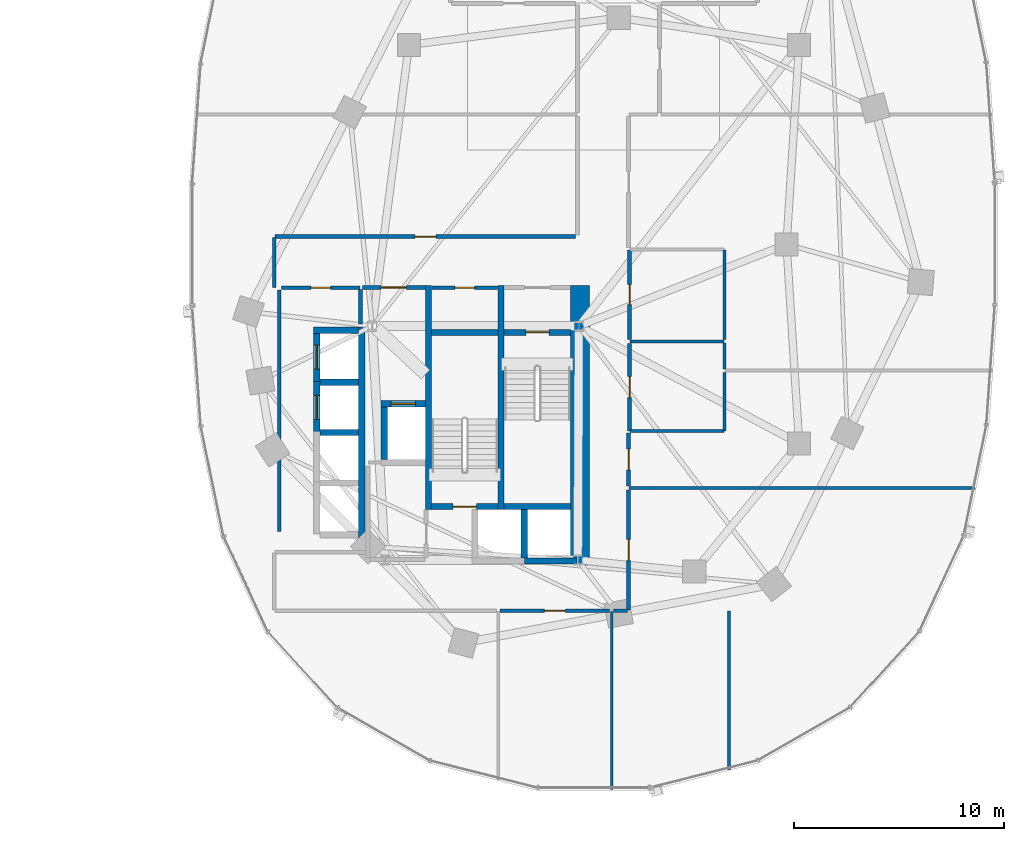
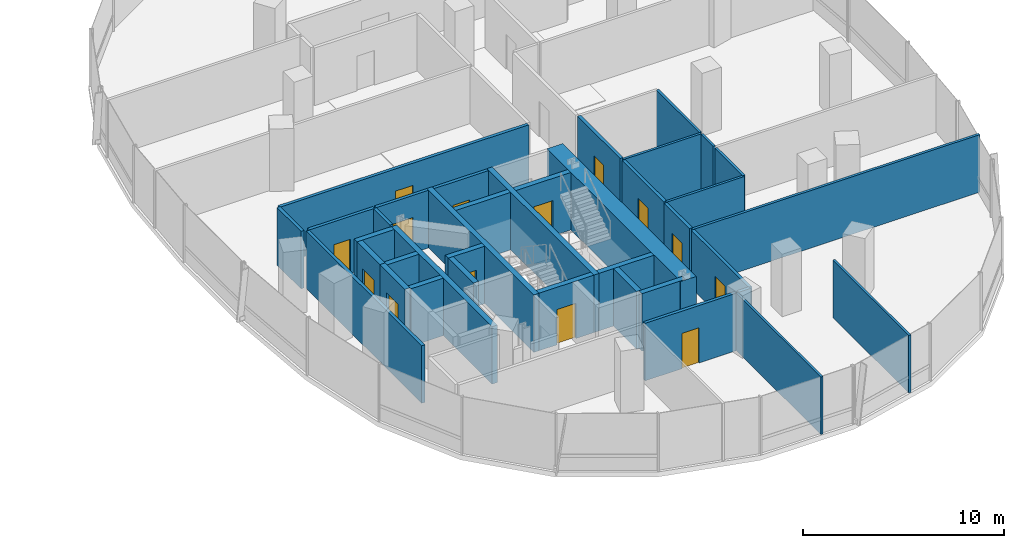
# One storey, part 13 of 22: 38 walls, 14 doors, 14 openings.
"""IFC4 building model written with IfcOpenShell, lengths in metres."""

from ifc_helpers import new_model, si_unit, direction, frame, frame_2d, origin, place, context, subcontext, project, spatial, rectangle, extrude, material, layer, layer_set, type_object, element, fill, save


model = new_model("IFC4")

# Units and contexts
model_context = context("Model", 3, precision=1e-05, world=origin(), true_north=direction((0.0, 1.0)))
body_context = subcontext(model_context, "Body", "Model", "MODEL_VIEW")
ifc_project = project(units=[si_unit("LENGTHUNIT", "METRE"), si_unit("AREAUNIT", "SQUARE_METRE"), si_unit("VOLUMEUNIT", "CUBIC_METRE"), si_unit("PLANEANGLEUNIT", "RADIAN"), si_unit("MASSUNIT", "GRAM", prefix="KILO"), si_unit("THERMODYNAMICTEMPERATUREUNIT", "KELVIN"), si_unit("POWERUNIT", "WATT")], contexts=[model_context])

# Site, building, storey
site_placement = place(None, origin())
site = spatial("IfcSite", under=ifc_project, at=site_placement, CompositionType="ELEMENT")
building_placement = place(site_placement, origin())
building = spatial("IfcBuilding", under=site, at=building_placement, Name="Cundina Bronze Exchange", CompositionType="ELEMENT")
storey_placement = place(building_placement, frame((0.0, 0.0, 35.39990234375)))
storey = spatial("IfcBuildingStorey", under=building, at=storey_placement, Name="L08", CompositionType="ELEMENT", Elevation=35.39990234375)

# Wall
ifc_material_1 = material(Name="Gypsum Fireboard Partition EI120")
ifc_layer_1 = layer(ifc_material_1, 0.179931640625, Name="Gypsum Fireboard Partition EI120")
ifc_layer_set_1 = layer_set([ifc_layer_1], Name="Gypsum Fireboard Partition EI120")
wall_type_1 = type_object("IfcWallType", Name="WL-COR-180", PredefinedType="PARTITIONING", material=ifc_layer_set_1)
wall_1_placement = place(storey_placement, frame((20.889892578125, -3.800048828125, 0.0), z_axis=(0.0, 0.0, 1.0), x_axis=(0.0, 1.0, 0.0)))
element("IfcWall", 1, at=wall_1_placement, inside=storey, type_object=wall_type_1, Name="L08 E Firefighting Lobby Side Wall", PredefinedType="PARTITIONING", context=body_context, shape_type="SweptSolid", body=[
    extrude(rectangle(XDim=1.650146484375, YDim=0.179931640625, at=frame_2d((0.8251953125, 0.0))), origin(), (0.0, 0.0, 1.0), 3.5),
])

# Wall, opening, door
wall_2_placement = place(storey_placement, frame((20.97998046875, -2.06005859375, 0.0), z_axis=(0.0, 0.0, 1.0), x_axis=(1.0, 0.0, 0.0)))
wall_2 = element("IfcWall", 2, at=wall_2_placement, inside=storey, type_object=wall_type_1, Name="L08 E Firefighting Lobby Exit Wall", PredefinedType="PARTITIONING", context=body_context, shape_type="SweptSolid", body=[
    extrude(rectangle(XDim=3.0, YDim=0.179931640625, at=frame_2d((1.5, 0.0))), origin(), (0.0, 0.0, 1.0), 3.5),
])
opening_1_placement = place(wall_2_placement, frame((0.89990234375, 0.0, 0.0)))
opening_1 = element("IfcOpeningElement", 3, at=opening_1_placement, cuts=wall_2, Name="Opening DF-01", PredefinedType="OPENING", context=body_context, shape_type="SweptSolid", body=[
    extrude(rectangle(XDim=1.199951171875, YDim=2.14990234375, at=frame_2d((0.60009765625, 1.074951171875))), frame((0.0, 0.099853515625, 0.0), z_axis=(0.0, -1.0, 0.0), x_axis=(1.0, 0.0, 0.0)), (0.0, 0.0, 1.0), 0.199951171875),
])
ifc_material_2 = material(Name="Steel ASTM A36 Painted", Category="steel")
door_type_1 = type_object("IfcDoorType", Name="DR-FFL-1200", OperationType="NOTDEFINED", PredefinedType="DOOR", material=ifc_material_2)
door_1_placement = place(opening_1_placement, origin())
door_1 = element("IfcDoor", 4, at=door_1_placement, inside=storey, type_object=door_type_1, Name="L08 E Firefighting Lobby Door", OperationType="SINGLE_SWING_LEFT", OverallHeight=2.14990234375, OverallWidth=1.199951171875, PredefinedType="DOOR", context=body_context, shape_type="SweptSolid", body=[
    extrude(rectangle(XDim=1.199951171875, YDim=2.14990234375, at=frame_2d((0.60009765625, 1.074951171875))), frame((0.0, 0.02490234375, 0.0), z_axis=(0.0, -1.0, 0.0), x_axis=(1.0, 0.0, 0.0)), (0.0, 0.0, 1.0), 0.050048828125),
])
fill(opening_1, door_1)

# Wall
wall_3_placement = place(storey_placement, frame((17.02001953125, -13.679931640625, 0.0), z_axis=(0.0, 0.0, 1.0), x_axis=(0.0, 1.0, 0.0)))
element("IfcWall", 5, at=wall_3_placement, inside=storey, type_object=wall_type_1, Name="L08 Interior Partition 050", PredefinedType="PARTITIONING", context=body_context, shape_type="SweptSolid", body=[
    extrude(rectangle(XDim=11.510009765625, YDim=0.179931640625, at=frame_2d((5.7548828125, 0.0))), origin(), (0.0, 0.0, 1.0), 3.5),
])

# Wall, opening, door
wall_4_placement = place(storey_placement, frame((17.1201171875, -2.070068359375, 0.0), z_axis=(0.0, 0.0, 1.0), x_axis=(1.0, 0.0, 0.0)))
wall_4 = element("IfcWall", 6, at=wall_4_placement, inside=storey, type_object=wall_type_1, Name="L08 Interior Partition 051", PredefinedType="PARTITIONING", context=body_context, shape_type="SweptSolid", body=[
    extrude(rectangle(XDim=3.75, YDim=0.179931640625, at=frame_2d((1.875, 0.0))), origin(), (0.0, 0.0, 1.0), 3.5),
])
opening_2_placement = place(wall_4_placement, frame((1.39990234375, 0.0, 0.0)))
opening_2 = element("IfcOpeningElement", 7, at=opening_2_placement, cuts=wall_4, Name="Opening DW-01", PredefinedType="OPENING", context=body_context, shape_type="SweptSolid", body=[
    extrude(rectangle(XDim=0.949951171875, YDim=2.10009765625, at=frame_2d((0.47509765625, 1.050048828125))), frame((0.0, 0.099853515625, 0.0), z_axis=(0.0, -1.0, 0.0), x_axis=(1.0, 0.0, 0.0)), (0.0, 0.0, 1.0), 0.199951171875),
])
ifc_material_3 = material(Name="Solid Andean Oak Timber Grade A", Category="wood")
door_type_2 = type_object("IfcDoorType", Name="DR-WC-950", OperationType="NOTDEFINED", PredefinedType="DOOR", material=ifc_material_3)
door_2_placement = place(opening_2_placement, origin())
door_2 = element("IfcDoor", 8, at=door_2_placement, inside=storey, type_object=door_type_2, Name="L08 Interior Door 051", OperationType="SINGLE_SWING_RIGHT", OverallHeight=2.10009765625, OverallWidth=0.949951171875, PredefinedType="DOOR", context=body_context, shape_type="SweptSolid", body=[
    extrude(rectangle(XDim=0.949951171875, YDim=2.10009765625, at=frame_2d((0.47509765625, 1.050048828125))), frame((0.0, 0.02490234375, 0.0), z_axis=(0.0, -1.0, 0.0), x_axis=(1.0, 0.0, 0.0)), (0.0, 0.0, 1.0), 0.050048828125),
])
fill(opening_2, door_2)

wall_5_placement = place(storey_placement, frame((24.300048828125, -2.070068359375, 0.0), z_axis=(0.0, 0.0, 1.0), x_axis=(1.0, 0.0, 0.0)))
wall_5 = element("IfcWall", 9, at=wall_5_placement, inside=storey, type_object=wall_type_1, Name="L08 Interior Partition 055", PredefinedType="PARTITIONING", context=body_context, shape_type="SweptSolid", body=[
    extrude(rectangle(XDim=3.119873046875, YDim=0.179931640625, at=frame_2d((1.56005859375, 0.0))), origin(), (0.0, 0.0, 1.0), 3.5),
])
opening_3_placement = place(wall_5_placement, frame((1.0849609375, 0.0, 0.0)))
opening_3 = element("IfcOpeningElement", 10, at=opening_3_placement, cuts=wall_5, Name="Opening DW-01", PredefinedType="OPENING", context=body_context, shape_type="SweptSolid", body=[
    extrude(rectangle(XDim=0.949951171875, YDim=2.10009765625, at=frame_2d((0.47509765625, 1.050048828125))), frame((0.0, 0.099853515625, 0.0), z_axis=(0.0, -1.0, 0.0), x_axis=(1.0, 0.0, 0.0)), (0.0, 0.0, 1.0), 0.199951171875),
])
door_3_placement = place(opening_3_placement, origin())
door_3 = element("IfcDoor", 11, at=door_3_placement, inside=storey, type_object=door_type_2, Name="L08 Interior Door 055", OperationType="SINGLE_SWING_RIGHT", OverallHeight=2.10009765625, OverallWidth=0.949951171875, PredefinedType="DOOR", context=body_context, shape_type="SweptSolid", body=[
    extrude(rectangle(XDim=0.949951171875, YDim=2.10009765625, at=frame_2d((0.47509765625, 1.050048828125))), frame((0.0, 0.02490234375, 0.0), z_axis=(0.0, -1.0, 0.0), x_axis=(1.0, 0.0, 0.0)), (0.0, 0.0, 1.0), 0.050048828125),
])
fill(opening_3, door_3)

wall_6_placement = place(storey_placement, frame((33.719970703125, -4.530029296875, 0.0), z_axis=(0.0, 0.0, 1.0), x_axis=(0.0, 1.0, 0.0)))
wall_6 = element("IfcWall", 12, at=wall_6_placement, inside=storey, type_object=wall_type_1, Name="L08 Interior Partition 063", PredefinedType="PARTITIONING", context=body_context, shape_type="SweptSolid", body=[
    extrude(rectangle(XDim=4.260009765625, YDim=0.179931640625, at=frame_2d((2.1298828125, 0.0))), origin(), (0.0, 0.0, 1.0), 3.5),
])
opening_4_placement = place(wall_6_placement, frame((1.655029296875, 0.0, 0.0)))
opening_4 = element("IfcOpeningElement", 13, at=opening_4_placement, cuts=wall_6, Name="Opening DW-01", PredefinedType="OPENING", context=body_context, shape_type="SweptSolid", body=[
    extrude(rectangle(XDim=0.949951171875, YDim=2.10009765625, at=frame_2d((0.47509765625, 1.050048828125))), frame((0.0, 0.099853515625, 0.0), z_axis=(0.0, -1.0, 0.0), x_axis=(1.0, 0.0, 0.0)), (0.0, 0.0, 1.0), 0.199951171875),
])
door_4_placement = place(opening_4_placement, origin())
door_4 = element("IfcDoor", 14, at=door_4_placement, inside=storey, type_object=door_type_2, Name="L08 Interior Door 063", OperationType="SINGLE_SWING_RIGHT", OverallHeight=2.10009765625, OverallWidth=0.949951171875, PredefinedType="DOOR", context=body_context, shape_type="SweptSolid", body=[
    extrude(rectangle(XDim=0.949951171875, YDim=2.10009765625, at=frame_2d((0.47509765625, 1.050048828125))), frame((0.0, 0.02490234375, 0.0), z_axis=(0.0, -1.0, 0.0), x_axis=(1.0, 0.0, 0.0)), (0.0, 0.0, 1.0), 0.050048828125),
])
fill(opening_4, door_4)

wall_7_placement = place(storey_placement, frame((33.719970703125, -8.889892578125, 0.0), z_axis=(0.0, 0.0, 1.0), x_axis=(0.0, 1.0, 0.0)))
wall_7 = element("IfcWall", 15, at=wall_7_placement, inside=storey, type_object=wall_type_1, Name="L08 Interior Partition 064", PredefinedType="PARTITIONING", context=body_context, shape_type="SweptSolid", body=[
    extrude(rectangle(XDim=4.159912109375, YDim=0.179931640625, at=frame_2d((2.080078125, 0.0))), origin(), (0.0, 0.0, 1.0), 3.5),
])
opening_5_placement = place(wall_7_placement, frame((1.580078125, 0.0, 0.0)))
opening_5 = element("IfcOpeningElement", 16, at=opening_5_placement, cuts=wall_7, Name="Opening DO-01", PredefinedType="OPENING", context=body_context, shape_type="SweptSolid", body=[
    extrude(rectangle(XDim=1.0, YDim=2.14990234375, at=frame_2d((0.5, 1.074951171875))), frame((0.0, 0.099853515625, 0.0), z_axis=(0.0, -1.0, 0.0), x_axis=(1.0, 0.0, 0.0)), (0.0, 0.0, 1.0), 0.199951171875),
])
door_type_3 = type_object("IfcDoorType", Name="DR-OFF-1000", OperationType="NOTDEFINED", PredefinedType="DOOR", material=ifc_material_3)
door_5_placement = place(opening_5_placement, origin())
door_5 = element("IfcDoor", 17, at=door_5_placement, inside=storey, type_object=door_type_3, Name="L08 Interior Door 064", OperationType="SINGLE_SWING_RIGHT", OverallHeight=2.14990234375, OverallWidth=1.0, PredefinedType="DOOR", context=body_context, shape_type="SweptSolid", body=[
    extrude(rectangle(XDim=1.0, YDim=2.14990234375, at=frame_2d((0.5, 1.074951171875))), frame((0.0, 0.02490234375, 0.0), z_axis=(0.0, -1.0, 0.0), x_axis=(1.0, 0.0, 0.0)), (0.0, 0.0, 1.0), 0.050048828125),
])
fill(opening_5, door_5)

wall_8_placement = place(storey_placement, frame((27.550048828125, -17.469970703125, 0.0), z_axis=(0.0, 0.0, 1.0), x_axis=(1.0, 0.0, 0.0)))
wall_8 = element("IfcWall", 18, at=wall_8_placement, inside=storey, type_object=wall_type_1, Name="L08 Interior Partition 076", PredefinedType="PARTITIONING", context=body_context, shape_type="SweptSolid", body=[
    extrude(rectangle(XDim=5.219970703125, YDim=0.179931640625, at=frame_2d((2.60986328125, 0.0))), origin(), (0.0, 0.0, 1.0), 3.5),
])
opening_6_placement = place(wall_8_placement, frame((2.110107421875, 0.0, 0.0)))
opening_6 = element("IfcOpeningElement", 19, at=opening_6_placement, cuts=wall_8, Name="Opening DO-01", PredefinedType="OPENING", context=body_context, shape_type="SweptSolid", body=[
    extrude(rectangle(XDim=1.0, YDim=2.14990234375, at=frame_2d((0.5, 1.074951171875))), frame((0.0, 0.099853515625, 0.0), z_axis=(0.0, -1.0, 0.0), x_axis=(1.0, 0.0, 0.0)), (0.0, 0.0, 1.0), 0.199951171875),
])
door_6_placement = place(opening_6_placement, origin())
door_6 = element("IfcDoor", 20, at=door_6_placement, inside=storey, type_object=door_type_3, Name="L08 Interior Door 076", OperationType="SINGLE_SWING_LEFT", OverallHeight=2.14990234375, OverallWidth=1.0, PredefinedType="DOOR", context=body_context, shape_type="SweptSolid", body=[
    extrude(rectangle(XDim=1.0, YDim=2.14990234375, at=frame_2d((0.5, 1.074951171875))), frame((0.0, 0.02490234375, 0.0), z_axis=(0.0, -1.0, 0.0), x_axis=(1.0, 0.0, 0.0)), (0.0, 0.0, 1.0), 0.050048828125),
])
fill(opening_6, door_6)

wall_9_placement = place(storey_placement, frame((33.669921875, -17.428466796875, 0.0), z_axis=(0.0, 0.0, 1.0), x_axis=(0.0, 1.0, 0.0)))
wall_9 = element("IfcWall", 21, at=wall_9_placement, inside=storey, type_object=wall_type_1, Name="L08 Interior Partition 077", PredefinedType="PARTITIONING", context=body_context, shape_type="SweptSolid", body=[
    extrude(rectangle(XDim=5.718505859375, YDim=0.179931640625, at=frame_2d((2.859375, 0.0))), origin(), (0.0, 0.0, 1.0), 3.5),
])
opening_7_placement = place(wall_9_placement, frame((2.359130859375, 0.0, 0.0)))
opening_7 = element("IfcOpeningElement", 22, at=opening_7_placement, cuts=wall_9, Name="Opening DO-01", PredefinedType="OPENING", context=body_context, shape_type="SweptSolid", body=[
    extrude(rectangle(XDim=1.0, YDim=2.14990234375, at=frame_2d((0.5, 1.074951171875))), frame((0.0, 0.099853515625, 0.0), z_axis=(0.0, -1.0, 0.0), x_axis=(1.0, 0.0, 0.0)), (0.0, 0.0, 1.0), 0.199951171875),
])
door_7_placement = place(opening_7_placement, origin())
door_7 = element("IfcDoor", 23, at=door_7_placement, inside=storey, type_object=door_type_3, Name="L08 Interior Door 077", OperationType="SINGLE_SWING_RIGHT", OverallHeight=2.14990234375, OverallWidth=1.0, PredefinedType="DOOR", context=body_context, shape_type="SweptSolid", body=[
    extrude(rectangle(XDim=1.0, YDim=2.14990234375, at=frame_2d((0.5, 1.074951171875))), frame((0.0, 0.02490234375, 0.0), z_axis=(0.0, -1.0, 0.0), x_axis=(1.0, 0.0, 0.0)), (0.0, 0.0, 1.0), 0.050048828125),
])
fill(opening_7, door_7)

# Wall
wall_10_placement = place(storey_placement, frame((32.949951171875, -17.469970703125, 0.0), z_axis=(0.0, 0.0, 1.0), x_axis=(1.0, 0.0, 0.0)))
element("IfcWall", 24, at=wall_10_placement, inside=storey, type_object=wall_type_1, Name="L08 Interior Partition 078", PredefinedType="PARTITIONING", context=body_context, shape_type="SweptSolid", body=[
    extrude(rectangle(XDim=0.678466796875, YDim=0.179931640625, at=frame_2d((0.33935546875, 0.0))), origin(), (0.0, 0.0, 1.0), 3.5),
])

# Wall, opening, door
wall_11_placement = place(storey_placement, frame((33.669921875, -11.530029296875, 0.0), z_axis=(0.0, 0.0, 1.0), x_axis=(0.0, 1.0, 0.0)))
wall_11 = element("IfcWall", 25, at=wall_11_placement, inside=storey, type_object=wall_type_1, Name="L08 Interior Partition 079", PredefinedType="PARTITIONING", context=body_context, shape_type="SweptSolid", body=[
    extrude(rectangle(XDim=2.528564453125, YDim=0.179931640625, at=frame_2d((1.26416015625, 0.0))), origin(), (0.0, 0.0, 1.0), 3.5),
])
opening_8_placement = place(wall_11_placement, frame((0.764404296875, 0.0, 0.0)))
opening_8 = element("IfcOpeningElement", 26, at=opening_8_placement, cuts=wall_11, Name="Opening DO-01", PredefinedType="OPENING", context=body_context, shape_type="SweptSolid", body=[
    extrude(rectangle(XDim=1.0, YDim=2.14990234375, at=frame_2d((0.5, 1.074951171875))), frame((0.0, 0.099853515625, 0.0), z_axis=(0.0, -1.0, 0.0), x_axis=(1.0, 0.0, 0.0)), (0.0, 0.0, 1.0), 0.199951171875),
])
door_8_placement = place(opening_8_placement, origin())
door_8 = element("IfcDoor", 27, at=door_8_placement, inside=storey, type_object=door_type_3, Name="L08 Interior Door 079", OperationType="SINGLE_SWING_LEFT", OverallHeight=2.14990234375, OverallWidth=1.0, PredefinedType="DOOR", context=body_context, shape_type="SweptSolid", body=[
    extrude(rectangle(XDim=1.0, YDim=2.14990234375, at=frame_2d((0.5, 1.074951171875))), frame((0.0, 0.02490234375, 0.0), z_axis=(0.0, -1.0, 0.0), x_axis=(1.0, 0.0, 0.0)), (0.0, 0.0, 1.0), 0.050048828125),
])
fill(opening_8, door_8)

wall_12_placement = place(storey_placement, frame((31.14990234375, 0.3701171875, 0.0), z_axis=(0.0, 0.0, 1.0), x_axis=(-1.0, 0.0, 0.0)))
wall_12 = element("IfcWall", 28, at=wall_12_placement, inside=storey, type_object=wall_type_1, Name="L08 Interior Partition 080", PredefinedType="PARTITIONING", context=body_context, shape_type="SweptSolid", body=[
    extrude(rectangle(XDim=14.328369140625, YDim=0.179931640625, at=frame_2d((7.1640625, 0.0))), origin(), (0.0, 0.0, 1.0), 3.5),
])
opening_9_placement = place(wall_12_placement, frame((6.664306640625, 0.0, 0.0)))
opening_9 = element("IfcOpeningElement", 29, at=opening_9_placement, cuts=wall_12, Name="Opening DO-01", PredefinedType="OPENING", context=body_context, shape_type="SweptSolid", body=[
    extrude(rectangle(XDim=1.0, YDim=2.14990234375, at=frame_2d((0.5, 1.074951171875))), frame((0.0, 0.099853515625, 0.0), z_axis=(0.0, -1.0, 0.0), x_axis=(1.0, 0.0, 0.0)), (0.0, 0.0, 1.0), 0.199951171875),
])
door_9_placement = place(opening_9_placement, origin())
door_9 = element("IfcDoor", 30, at=door_9_placement, inside=storey, type_object=door_type_3, Name="L08 Interior Door 080", OperationType="SINGLE_SWING_RIGHT", OverallHeight=2.14990234375, OverallWidth=1.0, PredefinedType="DOOR", context=body_context, shape_type="SweptSolid", body=[
    extrude(rectangle(XDim=1.0, YDim=2.14990234375, at=frame_2d((0.5, 1.074951171875))), frame((0.0, 0.02490234375, 0.0), z_axis=(0.0, -1.0, 0.0), x_axis=(1.0, 0.0, 0.0)), (0.0, 0.0, 1.0), 0.050048828125),
])
fill(opening_9, door_9)

# Walls
wall_13_placement = place(storey_placement, frame((16.780029296875, 0.32861328125, 0.0), z_axis=(0.0, 0.0, 1.0), x_axis=(0.0, -1.0, 0.0)))
element("IfcWall", 31, at=wall_13_placement, inside=storey, type_object=wall_type_1, Name="L08 Interior Partition 085", PredefinedType="PARTITIONING", context=body_context, shape_type="SweptSolid", body=[
    extrude(rectangle(XDim=2.38720703125, YDim=0.179931640625, at=frame_2d((1.193603515625, 0.0))), origin(), (0.0, 0.0, 1.0), 3.5),
])
ifc_material_4 = material(Name="Concrete C60/75", Category="concrete")
ifc_layer_2 = layer(ifc_material_4, 0.89990234375, Name="Concrete C60/75", Category="concrete")
ifc_layer_set_2 = layer_set([ifc_layer_2], Name="Concrete C60/75")
wall_type_2 = type_object("IfcWallType", Name="WL-CORE-900", PredefinedType="SHEAR", material=ifc_layer_set_2)
wall_14_placement = place(storey_placement, frame((31.35009765625, -15.300048828125, 0.0), z_axis=(0.0, 0.0, 1.0), x_axis=(0.0, 1.0, 0.0)))
element("IfcWall", 32, at=wall_14_placement, inside=storey, type_object=wall_type_2, Name="L08 E Primary Core Shear Spine Wall", PredefinedType="SHEAR", context=body_context, shape_type="SweptSolid", body=[
    extrude(rectangle(XDim=13.330078125, YDim=0.89990234375, at=frame_2d((6.6650390625, 0.0))), origin(), (0.0, 0.0, 1.0), 3.5),
])
ifc_material_5 = material(Name="Gypsum Acoustic Partition EI60")
ifc_layer_3 = layer(ifc_material_5, 0.125, Name="Gypsum Acoustic Partition EI60")
ifc_layer_set_3 = layer_set([ifc_layer_3], Name="Gypsum Acoustic Partition EI60")
wall_type_3 = type_object("IfcWallType", Name="WL-OFF-125", PredefinedType="PARTITIONING", material=ifc_layer_set_3)
wall_15_placement = place(storey_placement, frame((32.860107421875, -25.985107421875, 0.0), z_axis=(0.0, 0.0, 1.0), x_axis=(0.0, 1.0, 0.0)))
element("IfcWall", 33, at=wall_15_placement, inside=storey, type_object=wall_type_3, Name="L08 Interior Partition 074", PredefinedType="PARTITIONING", context=body_context, shape_type="SweptSolid", body=[
    extrude(rectangle(XDim=8.485107421875, YDim=0.125, at=frame_2d((4.24267578125, 0.0))), origin(), (0.0, 0.0, 1.0), 3.5),
])
wall_16_placement = place(storey_placement, frame((38.4599609375, -25.03515625, 0.0), z_axis=(0.0, 0.0, 1.0), x_axis=(0.0, 1.0, 0.0)))
element("IfcWall", 34, at=wall_16_placement, inside=storey, type_object=wall_type_3, Name="L08 Interior Partition 075", PredefinedType="PARTITIONING", context=body_context, shape_type="SweptSolid", body=[
    extrude(rectangle(XDim=7.565185546875, YDim=0.125, at=frame_2d((3.78271484375, 0.0))), origin(), (0.0, 0.0, 1.0), 3.5),
])
ifc_material_6 = material(Name="Concrete C50/60", Category="concrete")
ifc_layer_4 = layer(ifc_material_6, 0.300048828125, Name="Concrete C50/60", Category="concrete")
ifc_layer_set_4 = layer_set([ifc_layer_4], Name="Concrete C50/60")
wall_type_4 = type_object("IfcWallType", Name="WL-SHFT-300", PredefinedType="SHEAR", material=ifc_layer_set_4)
for number, where, z_axis, x_axis, name in (
    (35, (27.590087890625, -12.64990234375, 0.0), (0.0, 0.0, 1.0), (0.0, 1.0, 0.0), "L08 E Stair Shaft Dividing Shear Wall"),
    (36, (24.1298828125, -12.64990234375, 0.0), (0.0, 0.0, 1.0), (0.0, 1.0, 0.0), "L08 E Stair 2 East Shear Wall"),
):
    element("IfcWall", number, at=place(storey_placement, frame(where, z_axis=z_axis, x_axis=x_axis)), inside=storey, type_object=wall_type_4, Name=name, PredefinedType="SHEAR", context=body_context, shape_type="SweptSolid", body=[
        extrude(rectangle(XDim=10.679931640625, YDim=0.300048828125, at=frame_2d((5.33984375, 0.0))), origin(), (0.0, 0.0, 1.0), 3.5),
    ])

# Wall, opening, door
wall_17_placement = place(storey_placement, frame((27.739990234375, -4.199951171875, 0.0), z_axis=(0.0, 0.0, 1.0), x_axis=(1.0, 0.0, 0.0)))
wall_17 = element("IfcWall", 37, at=wall_17_placement, inside=storey, type_object=wall_type_4, Name="L08 Stair E1 Landing Wall", PredefinedType="SHEAR", context=body_context, shape_type="SweptSolid", body=[
    extrude(rectangle(XDim=3.159912109375, YDim=0.300048828125, at=frame_2d((1.580078125, 0.0))), origin(), (0.0, 0.0, 1.0), 3.5),
])
opening_10_placement = place(wall_17_placement, frame((1.030029296875, 0.0, 0.0)))
opening_10 = element("IfcOpeningElement", 38, at=opening_10_placement, cuts=wall_17, Name="Opening DS-01", PredefinedType="OPENING", context=body_context, shape_type="SweptSolid", body=[
    extrude(rectangle(XDim=1.10009765625, YDim=2.14990234375, at=frame_2d((0.550048828125, 1.074951171875))), frame((0.0, 0.159912109375, 0.0), z_axis=(0.0, -1.0, 0.0), x_axis=(1.0, 0.0, 0.0)), (0.0, 0.0, 1.0), 0.320068359375),
])
door_type_4 = type_object("IfcDoorType", Name="DR-STR-1100", OperationType="NOTDEFINED", PredefinedType="DOOR", material=ifc_material_2)
door_10_placement = place(opening_10_placement, origin())
door_10 = element("IfcDoor", 39, at=door_10_placement, inside=storey, type_object=door_type_4, Name="L08 Smokeproof Stair E1 Door", OperationType="SINGLE_SWING_LEFT", OverallHeight=2.14990234375, OverallWidth=1.10009765625, PredefinedType="DOOR", context=body_context, shape_type="SweptSolid", body=[
    extrude(rectangle(XDim=1.10009765625, YDim=2.14990234375, at=frame_2d((0.550048828125, 1.074951171875))), frame((0.0, 0.02490234375, 0.0), z_axis=(0.0, -1.0, 0.0), x_axis=(1.0, 0.0, 0.0)), (0.0, 0.0, 1.0), 0.050048828125),
])
fill(opening_10, door_10)

# Wall
wall_18_placement = place(storey_placement, frame((27.739990234375, -12.5, 0.0), z_axis=(0.0, 0.0, 1.0), x_axis=(1.0, 0.0, 0.0)))
element("IfcWall", 40, at=wall_18_placement, inside=storey, type_object=wall_type_4, Name="L08 Stair E1 Far Shaft Wall", PredefinedType="SHEAR", context=body_context, shape_type="SweptSolid", body=[
    extrude(rectangle(XDim=3.159912109375, YDim=0.300048828125, at=frame_2d((1.580078125, 0.0))), origin(), (0.0, 0.0, 1.0), 3.5),
])

# Wall, opening, door
wall_19_placement = place(storey_placement, frame((24.280029296875, -12.5, 0.0), z_axis=(0.0, 0.0, 1.0), x_axis=(1.0, 0.0, 0.0)))
wall_19 = element("IfcWall", 41, at=wall_19_placement, inside=storey, type_object=wall_type_4, Name="L08 Stair E2 Landing Wall", PredefinedType="SHEAR", context=body_context, shape_type="SweptSolid", body=[
    extrude(rectangle(XDim=3.159912109375, YDim=0.300048828125, at=frame_2d((1.580078125, 0.0))), origin(), (0.0, 0.0, 1.0), 3.5),
])
opening_11_placement = place(wall_19_placement, frame((1.030029296875, 0.0, 0.0)))
opening_11 = element("IfcOpeningElement", 42, at=opening_11_placement, cuts=wall_19, Name="Opening DS-01", PredefinedType="OPENING", context=body_context, shape_type="SweptSolid", body=[
    extrude(rectangle(XDim=1.10009765625, YDim=2.14990234375, at=frame_2d((0.550048828125, 1.074951171875))), frame((0.0, 0.159912109375, 0.0), z_axis=(0.0, -1.0, 0.0), x_axis=(1.0, 0.0, 0.0)), (0.0, 0.0, 1.0), 0.320068359375),
])
door_11_placement = place(opening_11_placement, origin())
door_11 = element("IfcDoor", 43, at=door_11_placement, inside=storey, type_object=door_type_4, Name="L08 Smokeproof Stair E2 Door", OperationType="SINGLE_SWING_RIGHT", OverallHeight=2.14990234375, OverallWidth=1.10009765625, PredefinedType="DOOR", context=body_context, shape_type="SweptSolid", body=[
    extrude(rectangle(XDim=1.10009765625, YDim=2.14990234375, at=frame_2d((0.550048828125, 1.074951171875))), frame((0.0, 0.02490234375, 0.0), z_axis=(0.0, -1.0, 0.0), x_axis=(1.0, 0.0, 0.0)), (0.0, 0.0, 1.0), 0.050048828125),
])
fill(opening_11, door_11)

# Wall
wall_20_placement = place(storey_placement, frame((24.280029296875, -4.199951171875, 0.0), z_axis=(0.0, 0.0, 1.0), x_axis=(1.0, 0.0, 0.0)))
element("IfcWall", 44, at=wall_20_placement, inside=storey, type_object=wall_type_4, Name="L08 Stair E2 Far Shaft Wall", PredefinedType="SHEAR", context=body_context, shape_type="SweptSolid", body=[
    extrude(rectangle(XDim=3.159912109375, YDim=0.300048828125, at=frame_2d((1.580078125, 0.0))), origin(), (0.0, 0.0, 1.0), 3.5),
])

# Wall, opening, door
wall_21_placement = place(storey_placement, frame((21.8798828125, -7.60009765625, 0.0), z_axis=(0.0, 0.0, 1.0), x_axis=(1.0, 0.0, 0.0)))
wall_21 = element("IfcWall", 45, at=wall_21_placement, inside=storey, type_object=wall_type_4, Name="L08 FFL-E Hoistway Front Wall", PredefinedType="SHEAR", context=body_context, shape_type="SweptSolid", body=[
    extrude(rectangle(XDim=2.10009765625, YDim=0.300048828125, at=frame_2d((1.050048828125, 0.0))), origin(), (0.0, 0.0, 1.0), 3.5),
])
opening_12_placement = place(wall_21_placement, frame((0.47509765625, 0.0, 0.0)))
opening_12 = element("IfcOpeningElement", 46, at=opening_12_placement, cuts=wall_21, Name="Opening LD-01", PredefinedType="OPENING", context=body_context, shape_type="SweptSolid", body=[
    extrude(rectangle(XDim=1.14990234375, YDim=2.199951171875, at=frame_2d((0.574951171875, 1.10009765625))), frame((0.0, 0.159912109375, 0.0), z_axis=(0.0, -1.0, 0.0), x_axis=(1.0, 0.0, 0.0)), (0.0, 0.0, 1.0), 0.320068359375),
])
door_type_5 = type_object("IfcDoorType", Name="DR-LND-1150", OperationType="NOTDEFINED", PredefinedType="TRAPDOOR", material=ifc_material_2)
door_12_placement = place(opening_12_placement, origin())
door_12 = element("IfcDoor", 47, at=door_12_placement, inside=storey, type_object=door_type_5, Name="L08 FFL-E Sliding Landing Door", OperationType="SLIDING_TO_LEFT", OverallHeight=2.199951171875, OverallWidth=1.14990234375, PredefinedType="TRAPDOOR", context=body_context, shape_type="SweptSolid", body=[
    extrude(rectangle(XDim=1.14990234375, YDim=2.199951171875, at=frame_2d((0.574951171875, 1.10009765625))), frame((0.0, 0.02490234375, 0.0), z_axis=(0.0, -1.0, 0.0), x_axis=(1.0, 0.0, 0.0)), (0.0, 0.0, 1.0), 0.050048828125),
])
fill(opening_12, door_12)

# Walls
for number, where, z_axis, x_axis, name in (
    (48, (22.030029296875, -10.25, 0.0), (0.0, 0.0, 1.0), (0.0, 1.0, 0.0), "L08 FFL-E Hoistway Side Wall"),
    (49, (28.699951171875, -15.10009765625, 0.0), (0.0, 0.0, 1.0), (1.0, 0.0, 0.0), "L08 PH-E1 Hoistway Front Wall"),
):
    element("IfcWall", number, at=place(storey_placement, frame(where, z_axis=z_axis, x_axis=x_axis)), inside=storey, type_object=wall_type_4, Name=name, PredefinedType="SHEAR", context=body_context, shape_type="SweptSolid", body=[
        extrude(rectangle(XDim=2.5, YDim=0.300048828125, at=frame_2d((1.25, 0.0))), origin(), (0.0, 0.0, 1.0), 3.5),
    ])
wall_22_placement = place(storey_placement, frame((28.699951171875, -14.949951171875, 0.0), z_axis=(0.0, 0.0, 1.0), x_axis=(0.0, 1.0, 0.0)))
element("IfcWall", 50, at=wall_22_placement, inside=storey, type_object=wall_type_4, Name="L08 PH-E1 Hoistway Divider Wall", PredefinedType="SHEAR", context=body_context, shape_type="SweptSolid", body=[
    extrude(rectangle(XDim=2.300048828125, YDim=0.300048828125, at=frame_2d((1.14990234375, 0.0))), origin(), (0.0, 0.0, 1.0), 3.5),
])
wall_23_placement = place(storey_placement, frame((20.949951171875, -14.0, 0.0), z_axis=(0.0, 0.0, 1.0), x_axis=(0.0, 1.0, 0.0)))
element("IfcWall", 51, at=wall_23_placement, inside=storey, type_object=wall_type_4, Name="L08 E Passenger Bank Hoistway Back Wall", PredefinedType="SHEAR", context=body_context, shape_type="SweptSolid", body=[
    extrude(rectangle(XDim=10.050048828125, YDim=0.300048828125, at=frame_2d((5.02490234375, 0.0))), origin(), (0.0, 0.0, 1.0), 3.5),
])
wall_24_placement = place(storey_placement, frame((18.64990234375, -4.10009765625, 0.0), z_axis=(0.0, 0.0, 1.0), x_axis=(1.0, 0.0, 0.0)))
element("IfcWall", 52, at=wall_24_placement, inside=storey, type_object=wall_type_4, Name="L08 E Passenger Bank North Cap Wall", PredefinedType="SHEAR", context=body_context, shape_type="SweptSolid", body=[
    extrude(rectangle(XDim=2.150146484375, YDim=0.300048828125, at=frame_2d((1.0751953125, 0.0))), origin(), (0.0, 0.0, 1.0), 3.5),
])
for number, where, z_axis, x_axis, name in (
    (53, (18.949951171875, -8.97509765625, 0.0), (0.0, 0.0, 1.0), (1.0, 0.0, 0.0), "L08 E Passenger Hoistway Divider 2"),
    (54, (18.949951171875, -6.574951171875, 0.0), (0.0, 0.0, 1.0), (1.0, 0.0, 0.0), "L08 E Passenger Hoistway Divider 3"),
):
    element("IfcWall", number, at=place(storey_placement, frame(where, z_axis=z_axis, x_axis=x_axis)), inside=storey, type_object=wall_type_4, Name=name, PredefinedType="SHEAR", context=body_context, shape_type="SweptSolid", body=[
        extrude(rectangle(XDim=1.85009765625, YDim=0.300048828125, at=frame_2d((0.925048828125, 0.0))), origin(), (0.0, 0.0, 1.0), 3.5),
    ])

# Wall, opening, door
wall_25_placement = place(storey_placement, frame((18.800048828125, -9.02001953125, 0.0), z_axis=(0.0, 0.0, 1.0), x_axis=(0.0, 1.0, 0.0)))
wall_25 = element("IfcWall", 55, at=wall_25_placement, inside=storey, type_object=wall_type_4, Name="L08 PL-E1 Hoistway Front Wall", PredefinedType="SHEAR", context=body_context, shape_type="SweptSolid", body=[
    extrude(rectangle(XDim=2.489990234375, YDim=0.300048828125, at=frame_2d((1.2451171875, 0.0))), origin(), (0.0, 0.0, 1.0), 3.5),
])
opening_13_placement = place(wall_25_placement, frame((0.669921875, 0.0, 0.0)))
opening_13 = element("IfcOpeningElement", 56, at=opening_13_placement, cuts=wall_25, Name="Opening LD-01", PredefinedType="OPENING", context=body_context, shape_type="SweptSolid", body=[
    extrude(rectangle(XDim=1.14990234375, YDim=2.199951171875, at=frame_2d((0.574951171875, 1.10009765625))), frame((0.0, 0.159912109375, 0.0), z_axis=(0.0, -1.0, 0.0), x_axis=(1.0, 0.0, 0.0)), (0.0, 0.0, 1.0), 0.320068359375),
])
door_13_placement = place(opening_13_placement, origin())
door_13 = element("IfcDoor", 57, at=door_13_placement, inside=storey, type_object=door_type_5, Name="L08 PL-E1 Sliding Landing Door", OperationType="SLIDING_TO_LEFT", OverallHeight=2.199951171875, OverallWidth=1.14990234375, PredefinedType="TRAPDOOR", context=body_context, shape_type="SweptSolid", body=[
    extrude(rectangle(XDim=1.14990234375, YDim=2.199951171875, at=frame_2d((0.574951171875, 1.10009765625))), frame((0.0, 0.02490234375, 0.0), z_axis=(0.0, -1.0, 0.0), x_axis=(1.0, 0.0, 0.0)), (0.0, 0.0, 1.0), 0.050048828125),
])
fill(opening_13, door_13)

wall_26_placement = place(storey_placement, frame((18.800048828125, -6.6201171875, 0.0), z_axis=(0.0, 0.0, 1.0), x_axis=(0.0, 1.0, 0.0)))
wall_26 = element("IfcWall", 58, at=wall_26_placement, inside=storey, type_object=wall_type_4, Name="L08 PL-E2 Hoistway Front Wall", PredefinedType="SHEAR", context=body_context, shape_type="SweptSolid", body=[
    extrude(rectangle(XDim=2.490234375, YDim=0.300048828125, at=frame_2d((1.2451171875, 0.0))), origin(), (0.0, 0.0, 1.0), 3.5),
])
opening_14_placement = place(wall_26_placement, frame((0.669921875, 0.0, 0.0)))
opening_14 = element("IfcOpeningElement", 59, at=opening_14_placement, cuts=wall_26, Name="Opening LD-01", PredefinedType="OPENING", context=body_context, shape_type="SweptSolid", body=[
    extrude(rectangle(XDim=1.14990234375, YDim=2.199951171875, at=frame_2d((0.574951171875, 1.10009765625))), frame((0.0, 0.159912109375, 0.0), z_axis=(0.0, -1.0, 0.0), x_axis=(1.0, 0.0, 0.0)), (0.0, 0.0, 1.0), 0.320068359375),
])
door_14_placement = place(opening_14_placement, origin())
door_14 = element("IfcDoor", 60, at=door_14_placement, inside=storey, type_object=door_type_5, Name="L08 PL-E2 Sliding Landing Door", OperationType="SLIDING_TO_LEFT", OverallHeight=2.199951171875, OverallWidth=1.14990234375, PredefinedType="TRAPDOOR", context=body_context, shape_type="SweptSolid", body=[
    extrude(rectangle(XDim=1.14990234375, YDim=2.199951171875, at=frame_2d((0.574951171875, 1.10009765625))), frame((0.0, 0.02490234375, 0.0), z_axis=(0.0, -1.0, 0.0), x_axis=(1.0, 0.0, 0.0)), (0.0, 0.0, 1.0), 0.050048828125),
])
fill(opening_14, door_14)

# Walls
ifc_layer_5 = layer(ifc_material_5, 0.14990234375, Name="Gypsum Acoustic Partition EI60")
ifc_layer_set_5 = layer_set([ifc_layer_5], Name="Gypsum Acoustic Partition EI60")
wall_type_5 = type_object("IfcWallType", Name="WL-TEN-150", PredefinedType="PARTITIONING", material=ifc_layer_set_5)
wall_27_placement = place(storey_placement, frame((33.699951171875, -11.6201171875, 0.0), z_axis=(0.0, 0.0, 1.0), x_axis=(1.0, 0.0, 0.0)))
element("IfcWall", 61, at=wall_27_placement, inside=storey, type_object=wall_type_5, Name="L08 Interior Partition 072", PredefinedType="PARTITIONING", context=body_context, shape_type="SweptSolid", body=[
    extrude(rectangle(XDim=16.494140625, YDim=0.14990234375, at=frame_2d((8.2470703125, 0.0))), origin(), (0.0, 0.0, 1.0), 3.5),
])
ifc_material_7 = material(Name="Moisture-Resistant Masonry Block Grade M15", Category="masonry")
ifc_layer_6 = layer(ifc_material_7, 0.139892578125, Name="Moisture-Resistant Masonry Block Grade M15", Category="masonry")
ifc_layer_set_6 = layer_set([ifc_layer_6], Name="Moisture-Resistant Masonry Block Grade M15")
wall_type_6 = type_object("IfcWallType", Name="WL-WET-140", PredefinedType="PARTITIONING", material=ifc_layer_set_6)
wall_28_placement = place(storey_placement, frame((38.239990234375, -8.889892578125, 0.0), z_axis=(0.0, 0.0, 1.0), x_axis=(0.0, 1.0, 0.0)))
element("IfcWall", 62, at=wall_28_placement, inside=storey, type_object=wall_type_6, Name="L08 Interior Partition 057", PredefinedType="PARTITIONING", context=body_context, shape_type="SweptSolid", body=[
    extrude(rectangle(XDim=2.784912109375, YDim=0.139892578125, at=frame_2d((1.392578125, 0.0))), origin(), (0.0, 0.0, 1.0), 3.5),
])
wall_29_placement = place(storey_placement, frame((38.239990234375, -5.93505859375, 0.0), z_axis=(0.0, 0.0, 1.0), x_axis=(0.0, 1.0, 0.0)))
element("IfcWall", 63, at=wall_29_placement, inside=storey, type_object=wall_type_6, Name="L08 Interior Partition 058", PredefinedType="PARTITIONING", context=body_context, shape_type="SweptSolid", body=[
    extrude(rectangle(XDim=1.219970703125, YDim=0.139892578125, at=frame_2d((0.60986328125, 0.0))), origin(), (0.0, 0.0, 1.0), 3.5),
])
wall_30_placement = place(storey_placement, frame((38.239990234375, -4.544921875, 0.0), z_axis=(0.0, 0.0, 1.0), x_axis=(0.0, 1.0, 0.0)))
element("IfcWall", 64, at=wall_30_placement, inside=storey, type_object=wall_type_6, Name="L08 Interior Partition 059", PredefinedType="PARTITIONING", context=body_context, shape_type="SweptSolid", body=[
    extrude(rectangle(XDim=4.27490234375, YDim=0.139892578125, at=frame_2d((2.137451171875, 0.0))), origin(), (0.0, 0.0, 1.0), 3.5),
])
for number, where, z_axis, x_axis, name in (
    (65, (33.739990234375, -4.6298828125, 0.0), (0.0, 0.0, 1.0), (1.0, 0.0, 0.0), "L08 Interior Partition 061"),
    (66, (33.739990234375, -8.909912109375, 0.0), (0.0, 0.0, 1.0), (1.0, 0.0, 0.0), "L08 Interior Partition 062"),
):
    element("IfcWall", number, at=place(storey_placement, frame(where, z_axis=z_axis, x_axis=x_axis)), inside=storey, type_object=wall_type_6, Name=name, PredefinedType="PARTITIONING", context=body_context, shape_type="SweptSolid", body=[
        extrude(rectangle(XDim=4.47998046875, YDim=0.139892578125, at=frame_2d((2.239990234375, 0.0))), origin(), (0.0, 0.0, 1.0), 3.5),
    ])

save(model, "model.ifc")
